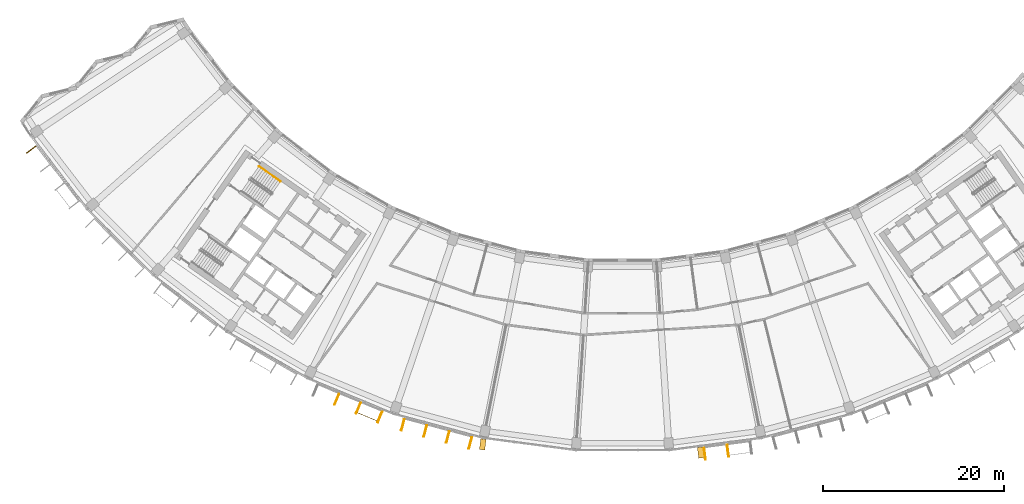
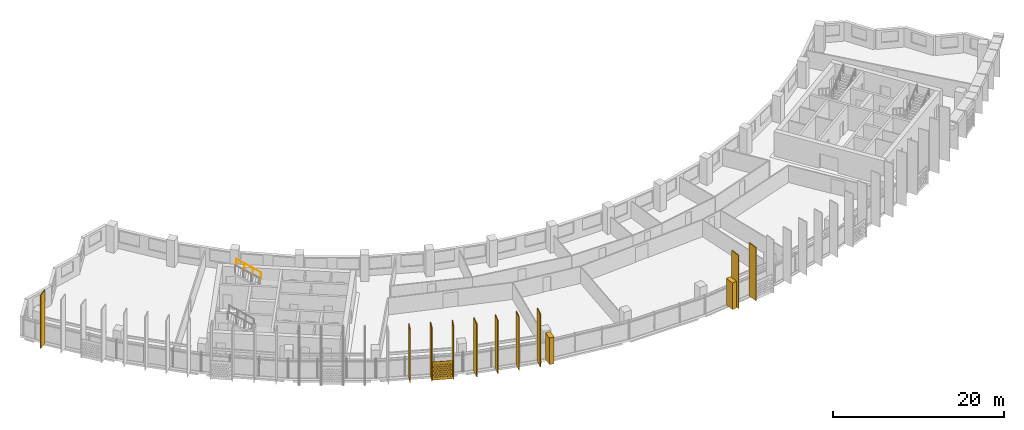
# One storey, part 24 of 27: 13 shading devices, 1 railing.
"""IFC4 building model written with IfcOpenShell, lengths in metres."""

from ifc_helpers import new_model, si_unit, direction, frame, origin, origin_2d, place, context, subcontext, project, spatial, polyline, rectangle, circle, outline, extrude, material, material_profile, profile_set, type_object, element, save


model = new_model("IFC4")

# Units and contexts
model_context = context("Model", 3, precision=1e-05, world=origin(), true_north=direction((0.0, 1.0)))
body_context = subcontext(model_context, "Body", "Model", "MODEL_VIEW")
ifc_project = project(units=[si_unit("LENGTHUNIT", "METRE"), si_unit("AREAUNIT", "SQUARE_METRE"), si_unit("VOLUMEUNIT", "CUBIC_METRE"), si_unit("PLANEANGLEUNIT", "RADIAN"), si_unit("MASSUNIT", "GRAM", prefix="KILO")], contexts=[model_context])

# Site, building, storey
site_placement = place(None, origin())
site = spatial("IfcSite", under=ifc_project, at=site_placement, CompositionType="ELEMENT")
building_placement = place(site_placement, origin())
building = spatial("IfcBuilding", under=site, at=building_placement, Name="Qamariyya Broadcast Tower", CompositionType="ELEMENT")
storey_placement = place(building_placement, frame((0.0, 0.0, 211.300048828125)))
storey = spatial("IfcBuildingStorey", under=building, at=storey_placement, Name="L50", CompositionType="ELEMENT", Elevation=211.300048828125)

# Shading devices
ifc_material_1 = material(Name="Steel S355 powder coated deep red", Category="steel")
shading_device_type_1 = type_object("IfcShadingDeviceType", Name="Deep red frame, powder coated steel box section", PredefinedType="USERDEFINED", material=ifc_material_1)
shading_device_1_placement = place(storey_placement, origin())
element("IfcShadingDevice", 1, at=shading_device_1_placement, inside=storey, type_object=shading_device_type_1, Name="e-frm-B4-F2-posta-L50", ObjectType="FRAME", PredefinedType="USERDEFINED", context=body_context, shape_type="SweptSolid", body=[
    extrude(outline(polyline([(-15.641357421875, -77.099609375), (-15.7978515625, -78.289306640625), (-15.203125, -78.36767578125), (-15.04638671875, -77.177978515625), (-15.641357421875, -77.099609375)])), origin(), (0.0, 0.0, 1.0), 3.800048828125),
])
shading_device_2_placement = place(storey_placement, origin())
element("IfcShadingDevice", 2, at=shading_device_2_placement, inside=storey, type_object=shading_device_type_1, Name="e-frm-B4-F2-postb-L50", ObjectType="FRAME", PredefinedType="USERDEFINED", context=body_context, shape_type="SweptSolid", body=[
    extrude(outline(polyline([(8.24658203125, -78.0732421875), (8.403076171875, -79.262939453125), (8.998046875, -79.1845703125), (8.84130859375, -77.994873046875), (8.24658203125, -78.0732421875)])), origin(), (0.0, 0.0, 1.0), 3.800048828125),
])
ifc_material_2 = material(Name="Perforated glazed terracotta", Category="masonry")
ifc_material_profile_1 = material_profile(ifc_material_2, outline(polyline([(-1.199951171875, -1.300048828125), (1.199951171875, -1.300048828125), (1.199951171875, 1.300048828125), (-1.199951171875, 1.300048828125), (-1.199951171875, -1.300048828125)]), holes=[polyline([(-0.81494140625, -0.86669921875), (-0.89990234375, -0.78173828125), (-0.985107421875, -0.86669921875), (-0.89990234375, -0.95166015625), (-0.81494140625, -0.86669921875)]), polyline([(-0.514892578125, -0.86669921875), (-0.60009765625, -0.78173828125), (-0.68505859375, -0.86669921875), (-0.60009765625, -0.95166015625), (-0.514892578125, -0.86669921875)]), polyline([(-0.215087890625, -0.86669921875), (-0.300048828125, -0.78173828125), (-0.385009765625, -0.86669921875), (-0.300048828125, -0.95166015625), (-0.215087890625, -0.86669921875)]), polyline([(0.0849609375, -0.86669921875), (0.0, -0.78173828125), (-0.0849609375, -0.86669921875), (0.0, -0.95166015625), (0.0849609375, -0.86669921875)]), polyline([(0.385009765625, -0.86669921875), (0.300048828125, -0.78173828125), (0.215087890625, -0.86669921875), (0.300048828125, -0.95166015625), (0.385009765625, -0.86669921875)]), polyline([(0.68505859375, -0.86669921875), (0.60009765625, -0.78173828125), (0.514892578125, -0.86669921875), (0.60009765625, -0.95166015625), (0.68505859375, -0.86669921875)]), polyline([(0.985107421875, -0.86669921875), (0.89990234375, -0.78173828125), (0.81494140625, -0.86669921875), (0.89990234375, -0.95166015625), (0.985107421875, -0.86669921875)]), polyline([(-0.965087890625, -0.577880859375), (-1.050048828125, -0.49267578125), (-1.135009765625, -0.577880859375), (-1.050048828125, -0.662841796875), (-0.965087890625, -0.577880859375)]), polyline([(-0.6650390625, -0.577880859375), (-0.75, -0.49267578125), (-0.8349609375, -0.577880859375), (-0.75, -0.662841796875), (-0.6650390625, -0.577880859375)]), polyline([(-0.364990234375, -0.577880859375), (-0.449951171875, -0.49267578125), (-0.534912109375, -0.577880859375), (-0.449951171875, -0.662841796875), (-0.364990234375, -0.577880859375)]), polyline([(-0.06494140625, -0.577880859375), (-0.14990234375, -0.49267578125), (-0.235107421875, -0.577880859375), (-0.14990234375, -0.662841796875), (-0.06494140625, -0.577880859375)]), polyline([(0.235107421875, -0.577880859375), (0.14990234375, -0.49267578125), (0.06494140625, -0.577880859375), (0.14990234375, -0.662841796875), (0.235107421875, -0.577880859375)]), polyline([(0.534912109375, -0.577880859375), (0.449951171875, -0.49267578125), (0.364990234375, -0.577880859375), (0.449951171875, -0.662841796875), (0.534912109375, -0.577880859375)]), polyline([(0.8349609375, -0.577880859375), (0.75, -0.49267578125), (0.6650390625, -0.577880859375), (0.75, -0.662841796875), (0.8349609375, -0.577880859375)]), polyline([(1.135009765625, -0.577880859375), (1.050048828125, -0.49267578125), (0.965087890625, -0.577880859375), (1.050048828125, -0.662841796875), (1.135009765625, -0.577880859375)]), polyline([(-0.81494140625, -0.288818359375), (-0.89990234375, -0.203857421875), (-0.985107421875, -0.288818359375), (-0.89990234375, -0.373779296875), (-0.81494140625, -0.288818359375)]), polyline([(-0.514892578125, -0.288818359375), (-0.60009765625, -0.203857421875), (-0.68505859375, -0.288818359375), (-0.60009765625, -0.373779296875), (-0.514892578125, -0.288818359375)]), polyline([(-0.215087890625, -0.288818359375), (-0.300048828125, -0.203857421875), (-0.385009765625, -0.288818359375), (-0.300048828125, -0.373779296875), (-0.215087890625, -0.288818359375)]), polyline([(0.0849609375, -0.288818359375), (0.0, -0.203857421875), (-0.0849609375, -0.288818359375), (0.0, -0.373779296875), (0.0849609375, -0.288818359375)]), polyline([(0.385009765625, -0.288818359375), (0.300048828125, -0.203857421875), (0.215087890625, -0.288818359375), (0.300048828125, -0.373779296875), (0.385009765625, -0.288818359375)]), polyline([(0.68505859375, -0.288818359375), (0.60009765625, -0.203857421875), (0.514892578125, -0.288818359375), (0.60009765625, -0.373779296875), (0.68505859375, -0.288818359375)]), polyline([(0.985107421875, -0.288818359375), (0.89990234375, -0.203857421875), (0.81494140625, -0.288818359375), (0.89990234375, -0.373779296875), (0.985107421875, -0.288818359375)]), polyline([(-0.965087890625, 0.0), (-1.050048828125, 0.0849609375), (-1.135009765625, 0.0), (-1.050048828125, -0.0849609375), (-0.965087890625, 0.0)]), polyline([(-0.6650390625, 0.0), (-0.75, 0.0849609375), (-0.8349609375, 0.0), (-0.75, -0.0849609375), (-0.6650390625, 0.0)]), polyline([(-0.364990234375, 0.0), (-0.449951171875, 0.0849609375), (-0.534912109375, 0.0), (-0.449951171875, -0.0849609375), (-0.364990234375, 0.0)]), polyline([(-0.06494140625, 0.0), (-0.14990234375, 0.0849609375), (-0.235107421875, 0.0), (-0.14990234375, -0.0849609375), (-0.06494140625, 0.0)]), polyline([(0.235107421875, 0.0), (0.14990234375, 0.0849609375), (0.06494140625, 0.0), (0.14990234375, -0.0849609375), (0.235107421875, 0.0)]), polyline([(0.534912109375, 0.0), (0.449951171875, 0.0849609375), (0.364990234375, 0.0), (0.449951171875, -0.0849609375), (0.534912109375, 0.0)]), polyline([(0.8349609375, 0.0), (0.75, 0.0849609375), (0.6650390625, 0.0), (0.75, -0.0849609375), (0.8349609375, 0.0)]), polyline([(1.135009765625, 0.0), (1.050048828125, 0.0849609375), (0.965087890625, 0.0), (1.050048828125, -0.0849609375), (1.135009765625, 0.0)]), polyline([(-0.81494140625, 0.288818359375), (-0.89990234375, 0.373779296875), (-0.985107421875, 0.288818359375), (-0.89990234375, 0.203857421875), (-0.81494140625, 0.288818359375)]), polyline([(-0.514892578125, 0.288818359375), (-0.60009765625, 0.373779296875), (-0.68505859375, 0.288818359375), (-0.60009765625, 0.203857421875), (-0.514892578125, 0.288818359375)]), polyline([(-0.215087890625, 0.288818359375), (-0.300048828125, 0.373779296875), (-0.385009765625, 0.288818359375), (-0.300048828125, 0.203857421875), (-0.215087890625, 0.288818359375)]), polyline([(0.0849609375, 0.288818359375), (0.0, 0.373779296875), (-0.0849609375, 0.288818359375), (0.0, 0.203857421875), (0.0849609375, 0.288818359375)]), polyline([(0.385009765625, 0.288818359375), (0.300048828125, 0.373779296875), (0.215087890625, 0.288818359375), (0.300048828125, 0.203857421875), (0.385009765625, 0.288818359375)]), polyline([(0.68505859375, 0.288818359375), (0.60009765625, 0.373779296875), (0.514892578125, 0.288818359375), (0.60009765625, 0.203857421875), (0.68505859375, 0.288818359375)]), polyline([(0.985107421875, 0.288818359375), (0.89990234375, 0.373779296875), (0.81494140625, 0.288818359375), (0.89990234375, 0.203857421875), (0.985107421875, 0.288818359375)]), polyline([(-0.965087890625, 0.577880859375), (-1.050048828125, 0.662841796875), (-1.135009765625, 0.577880859375), (-1.050048828125, 0.49267578125), (-0.965087890625, 0.577880859375)]), polyline([(-0.6650390625, 0.577880859375), (-0.75, 0.662841796875), (-0.8349609375, 0.577880859375), (-0.75, 0.49267578125), (-0.6650390625, 0.577880859375)]), polyline([(-0.364990234375, 0.577880859375), (-0.449951171875, 0.662841796875), (-0.534912109375, 0.577880859375), (-0.449951171875, 0.49267578125), (-0.364990234375, 0.577880859375)]), polyline([(-0.06494140625, 0.577880859375), (-0.14990234375, 0.662841796875), (-0.235107421875, 0.577880859375), (-0.14990234375, 0.49267578125), (-0.06494140625, 0.577880859375)]), polyline([(0.235107421875, 0.577880859375), (0.14990234375, 0.662841796875), (0.06494140625, 0.577880859375), (0.14990234375, 0.49267578125), (0.235107421875, 0.577880859375)]), polyline([(0.534912109375, 0.577880859375), (0.449951171875, 0.662841796875), (0.364990234375, 0.577880859375), (0.449951171875, 0.49267578125), (0.534912109375, 0.577880859375)]), polyline([(0.8349609375, 0.577880859375), (0.75, 0.662841796875), (0.6650390625, 0.577880859375), (0.75, 0.49267578125), (0.8349609375, 0.577880859375)]), polyline([(1.135009765625, 0.577880859375), (1.050048828125, 0.662841796875), (0.965087890625, 0.577880859375), (1.050048828125, 0.49267578125), (1.135009765625, 0.577880859375)]), polyline([(-0.81494140625, 0.86669921875), (-0.89990234375, 0.95166015625), (-0.985107421875, 0.86669921875), (-0.89990234375, 0.78173828125), (-0.81494140625, 0.86669921875)]), polyline([(-0.514892578125, 0.86669921875), (-0.60009765625, 0.95166015625), (-0.68505859375, 0.86669921875), (-0.60009765625, 0.78173828125), (-0.514892578125, 0.86669921875)]), polyline([(-0.215087890625, 0.86669921875), (-0.300048828125, 0.95166015625), (-0.385009765625, 0.86669921875), (-0.300048828125, 0.78173828125), (-0.215087890625, 0.86669921875)]), polyline([(0.0849609375, 0.86669921875), (0.0, 0.95166015625), (-0.0849609375, 0.86669921875), (0.0, 0.78173828125), (0.0849609375, 0.86669921875)]), polyline([(0.385009765625, 0.86669921875), (0.300048828125, 0.95166015625), (0.215087890625, 0.86669921875), (0.300048828125, 0.78173828125), (0.385009765625, 0.86669921875)]), polyline([(0.68505859375, 0.86669921875), (0.60009765625, 0.95166015625), (0.514892578125, 0.86669921875), (0.60009765625, 0.78173828125), (0.68505859375, 0.86669921875)]), polyline([(0.985107421875, 0.86669921875), (0.89990234375, 0.95166015625), (0.81494140625, 0.86669921875), (0.89990234375, 0.78173828125), (0.985107421875, 0.86669921875)])]))
ifc_profile_set_1 = profile_set([ifc_material_profile_1], Name="Perforated glazed terracotta")
shading_device_type_2 = type_object("IfcShadingDeviceType", Name="Perforated terracotta screen 2400 x 2600", PredefinedType="USERDEFINED", material=ifc_profile_set_1)
shading_device_3_placement = place(storey_placement, frame((-28.1767578125, -74.6513671875, 1.349853515625), z_axis=(-0.382591441855, -0.923917630863, 0.0), x_axis=(0.923917630863, -0.382591441855, 0.0)))
element("IfcShadingDevice", 3, at=shading_device_3_placement, inside=storey, type_object=shading_device_type_2, Name="e-scr-L50-05-2", ObjectType="SCREEN", PredefinedType="USERDEFINED", context=body_context, shape_type="SweptSolid", body=[
    extrude(outline(polyline([(-1.199951171875, -1.300048828125), (1.199951171875, -1.300048828125), (1.199951171875, 1.300048828125), (-1.199951171875, 1.300048828125), (-1.199951171875, -1.300048828125)]), holes=[polyline([(-0.81494140625, -0.86669921875), (-0.89990234375, -0.78173828125), (-0.985107421875, -0.86669921875), (-0.89990234375, -0.95166015625), (-0.81494140625, -0.86669921875)]), polyline([(-0.514892578125, -0.86669921875), (-0.60009765625, -0.78173828125), (-0.68505859375, -0.86669921875), (-0.60009765625, -0.95166015625), (-0.514892578125, -0.86669921875)]), polyline([(-0.215087890625, -0.86669921875), (-0.300048828125, -0.78173828125), (-0.385009765625, -0.86669921875), (-0.300048828125, -0.95166015625), (-0.215087890625, -0.86669921875)]), polyline([(0.0849609375, -0.86669921875), (0.0, -0.78173828125), (-0.0849609375, -0.86669921875), (0.0, -0.95166015625), (0.0849609375, -0.86669921875)]), polyline([(0.385009765625, -0.86669921875), (0.300048828125, -0.78173828125), (0.215087890625, -0.86669921875), (0.300048828125, -0.95166015625), (0.385009765625, -0.86669921875)]), polyline([(0.68505859375, -0.86669921875), (0.60009765625, -0.78173828125), (0.514892578125, -0.86669921875), (0.60009765625, -0.95166015625), (0.68505859375, -0.86669921875)]), polyline([(0.985107421875, -0.86669921875), (0.89990234375, -0.78173828125), (0.81494140625, -0.86669921875), (0.89990234375, -0.95166015625), (0.985107421875, -0.86669921875)]), polyline([(-0.965087890625, -0.577880859375), (-1.050048828125, -0.49267578125), (-1.135009765625, -0.577880859375), (-1.050048828125, -0.662841796875), (-0.965087890625, -0.577880859375)]), polyline([(-0.6650390625, -0.577880859375), (-0.75, -0.49267578125), (-0.8349609375, -0.577880859375), (-0.75, -0.662841796875), (-0.6650390625, -0.577880859375)]), polyline([(-0.364990234375, -0.577880859375), (-0.449951171875, -0.49267578125), (-0.534912109375, -0.577880859375), (-0.449951171875, -0.662841796875), (-0.364990234375, -0.577880859375)]), polyline([(-0.06494140625, -0.577880859375), (-0.14990234375, -0.49267578125), (-0.235107421875, -0.577880859375), (-0.14990234375, -0.662841796875), (-0.06494140625, -0.577880859375)]), polyline([(0.235107421875, -0.577880859375), (0.14990234375, -0.49267578125), (0.06494140625, -0.577880859375), (0.14990234375, -0.662841796875), (0.235107421875, -0.577880859375)]), polyline([(0.534912109375, -0.577880859375), (0.449951171875, -0.49267578125), (0.364990234375, -0.577880859375), (0.449951171875, -0.662841796875), (0.534912109375, -0.577880859375)]), polyline([(0.8349609375, -0.577880859375), (0.75, -0.49267578125), (0.6650390625, -0.577880859375), (0.75, -0.662841796875), (0.8349609375, -0.577880859375)]), polyline([(1.135009765625, -0.577880859375), (1.050048828125, -0.49267578125), (0.965087890625, -0.577880859375), (1.050048828125, -0.662841796875), (1.135009765625, -0.577880859375)]), polyline([(-0.81494140625, -0.288818359375), (-0.89990234375, -0.203857421875), (-0.985107421875, -0.288818359375), (-0.89990234375, -0.373779296875), (-0.81494140625, -0.288818359375)]), polyline([(-0.514892578125, -0.288818359375), (-0.60009765625, -0.203857421875), (-0.68505859375, -0.288818359375), (-0.60009765625, -0.373779296875), (-0.514892578125, -0.288818359375)]), polyline([(-0.215087890625, -0.288818359375), (-0.300048828125, -0.203857421875), (-0.385009765625, -0.288818359375), (-0.300048828125, -0.373779296875), (-0.215087890625, -0.288818359375)]), polyline([(0.0849609375, -0.288818359375), (0.0, -0.203857421875), (-0.0849609375, -0.288818359375), (0.0, -0.373779296875), (0.0849609375, -0.288818359375)]), polyline([(0.385009765625, -0.288818359375), (0.300048828125, -0.203857421875), (0.215087890625, -0.288818359375), (0.300048828125, -0.373779296875), (0.385009765625, -0.288818359375)]), polyline([(0.68505859375, -0.288818359375), (0.60009765625, -0.203857421875), (0.514892578125, -0.288818359375), (0.60009765625, -0.373779296875), (0.68505859375, -0.288818359375)]), polyline([(0.985107421875, -0.288818359375), (0.89990234375, -0.203857421875), (0.81494140625, -0.288818359375), (0.89990234375, -0.373779296875), (0.985107421875, -0.288818359375)]), polyline([(-0.965087890625, 0.0), (-1.050048828125, 0.0849609375), (-1.135009765625, 0.0), (-1.050048828125, -0.0849609375), (-0.965087890625, 0.0)]), polyline([(-0.6650390625, 0.0), (-0.75, 0.0849609375), (-0.8349609375, 0.0), (-0.75, -0.0849609375), (-0.6650390625, 0.0)]), polyline([(-0.364990234375, 0.0), (-0.449951171875, 0.0849609375), (-0.534912109375, 0.0), (-0.449951171875, -0.0849609375), (-0.364990234375, 0.0)]), polyline([(-0.06494140625, 0.0), (-0.14990234375, 0.0849609375), (-0.235107421875, 0.0), (-0.14990234375, -0.0849609375), (-0.06494140625, 0.0)]), polyline([(0.235107421875, 0.0), (0.14990234375, 0.0849609375), (0.06494140625, 0.0), (0.14990234375, -0.0849609375), (0.235107421875, 0.0)]), polyline([(0.534912109375, 0.0), (0.449951171875, 0.0849609375), (0.364990234375, 0.0), (0.449951171875, -0.0849609375), (0.534912109375, 0.0)]), polyline([(0.8349609375, 0.0), (0.75, 0.0849609375), (0.6650390625, 0.0), (0.75, -0.0849609375), (0.8349609375, 0.0)]), polyline([(1.135009765625, 0.0), (1.050048828125, 0.0849609375), (0.965087890625, 0.0), (1.050048828125, -0.0849609375), (1.135009765625, 0.0)]), polyline([(-0.81494140625, 0.288818359375), (-0.89990234375, 0.373779296875), (-0.985107421875, 0.288818359375), (-0.89990234375, 0.203857421875), (-0.81494140625, 0.288818359375)]), polyline([(-0.514892578125, 0.288818359375), (-0.60009765625, 0.373779296875), (-0.68505859375, 0.288818359375), (-0.60009765625, 0.203857421875), (-0.514892578125, 0.288818359375)]), polyline([(-0.215087890625, 0.288818359375), (-0.300048828125, 0.373779296875), (-0.385009765625, 0.288818359375), (-0.300048828125, 0.203857421875), (-0.215087890625, 0.288818359375)]), polyline([(0.0849609375, 0.288818359375), (0.0, 0.373779296875), (-0.0849609375, 0.288818359375), (0.0, 0.203857421875), (0.0849609375, 0.288818359375)]), polyline([(0.385009765625, 0.288818359375), (0.300048828125, 0.373779296875), (0.215087890625, 0.288818359375), (0.300048828125, 0.203857421875), (0.385009765625, 0.288818359375)]), polyline([(0.68505859375, 0.288818359375), (0.60009765625, 0.373779296875), (0.514892578125, 0.288818359375), (0.60009765625, 0.203857421875), (0.68505859375, 0.288818359375)]), polyline([(0.985107421875, 0.288818359375), (0.89990234375, 0.373779296875), (0.81494140625, 0.288818359375), (0.89990234375, 0.203857421875), (0.985107421875, 0.288818359375)]), polyline([(-0.965087890625, 0.577880859375), (-1.050048828125, 0.662841796875), (-1.135009765625, 0.577880859375), (-1.050048828125, 0.49267578125), (-0.965087890625, 0.577880859375)]), polyline([(-0.6650390625, 0.577880859375), (-0.75, 0.662841796875), (-0.8349609375, 0.577880859375), (-0.75, 0.49267578125), (-0.6650390625, 0.577880859375)]), polyline([(-0.364990234375, 0.577880859375), (-0.449951171875, 0.662841796875), (-0.534912109375, 0.577880859375), (-0.449951171875, 0.49267578125), (-0.364990234375, 0.577880859375)]), polyline([(-0.06494140625, 0.577880859375), (-0.14990234375, 0.662841796875), (-0.235107421875, 0.577880859375), (-0.14990234375, 0.49267578125), (-0.06494140625, 0.577880859375)]), polyline([(0.235107421875, 0.577880859375), (0.14990234375, 0.662841796875), (0.06494140625, 0.577880859375), (0.14990234375, 0.49267578125), (0.235107421875, 0.577880859375)]), polyline([(0.534912109375, 0.577880859375), (0.449951171875, 0.662841796875), (0.364990234375, 0.577880859375), (0.449951171875, 0.49267578125), (0.534912109375, 0.577880859375)]), polyline([(0.8349609375, 0.577880859375), (0.75, 0.662841796875), (0.6650390625, 0.577880859375), (0.75, 0.49267578125), (0.8349609375, 0.577880859375)]), polyline([(1.135009765625, 0.577880859375), (1.050048828125, 0.662841796875), (0.965087890625, 0.577880859375), (1.050048828125, 0.49267578125), (1.135009765625, 0.577880859375)]), polyline([(-0.81494140625, 0.86669921875), (-0.89990234375, 0.95166015625), (-0.985107421875, 0.86669921875), (-0.89990234375, 0.78173828125), (-0.81494140625, 0.86669921875)]), polyline([(-0.514892578125, 0.86669921875), (-0.60009765625, 0.95166015625), (-0.68505859375, 0.86669921875), (-0.60009765625, 0.78173828125), (-0.514892578125, 0.86669921875)]), polyline([(-0.215087890625, 0.86669921875), (-0.300048828125, 0.95166015625), (-0.385009765625, 0.86669921875), (-0.300048828125, 0.78173828125), (-0.215087890625, 0.86669921875)]), polyline([(0.0849609375, 0.86669921875), (0.0, 0.95166015625), (-0.0849609375, 0.86669921875), (0.0, 0.78173828125), (0.0849609375, 0.86669921875)]), polyline([(0.385009765625, 0.86669921875), (0.300048828125, 0.95166015625), (0.215087890625, 0.86669921875), (0.300048828125, 0.78173828125), (0.385009765625, 0.86669921875)]), polyline([(0.68505859375, 0.86669921875), (0.60009765625, 0.95166015625), (0.514892578125, 0.86669921875), (0.60009765625, 0.78173828125), (0.68505859375, 0.86669921875)]), polyline([(0.985107421875, 0.86669921875), (0.89990234375, 0.95166015625), (0.81494140625, 0.86669921875), (0.89990234375, 0.78173828125), (0.985107421875, 0.86669921875)])]), origin(), (0.0, 0.0, 1.0), 0.06005859375),
])

# Railing
ifc_material_3 = material(Name="Stainless steel", Category="steel")
railing_type = type_object("IfcRailingType", Name="Stair handrail", PredefinedType="HANDRAIL", material=ifc_material_3)
railing_placement = place(storey_placement, frame((-37.73876953125, -48.7138671875, 2.07275390625)))
element("IfcRailing", 4, at=railing_placement, inside=storey, type_object=railing_type, Name="L50 ST-W2 stair handrail 2", PredefinedType="HANDRAIL", context=body_context, shape_type="SweptSolid", body=[
    extrude(circle(Radius=0.02392578125, at=origin_2d()), frame((0.0, 0.0, 0.8759765625), z_axis=(-0.703745009021, 0.492838488332, 0.511715923826), x_axis=(-0.573631830683, -0.819113253969, 0.0)), (0.0, 0.0, 1.0), 3.37548828125),
    extrude(circle(Radius=0.02099609375, at=origin_2d()), origin(), (0.0, 0.0, 1.0), 0.851806640625),
    extrude(circle(Radius=0.02099609375, at=origin_2d()), frame((-0.791748046875, 0.554443359375, 0.57568359375)), (0.0, 0.0, 1.0), 0.851806640625),
    extrude(circle(Radius=0.02099609375, at=origin_2d()), frame((-1.583740234375, 1.109130859375, 1.151611328125)), (0.0, 0.0, 1.0), 0.851806640625),
    extrude(circle(Radius=0.02099609375, at=origin_2d()), frame((-2.37548828125, 1.66357421875, 1.727294921875)), (0.0, 0.0, 1.0), 0.851806640625),
])

# Shading devices
ifc_material_4 = material(Name="Glazed terracotta", Category="masonry")
ifc_material_profile_2 = material_profile(ifc_material_4, rectangle(XDim=1.300048828125, YDim=0.10009765625, at=origin_2d()))
ifc_profile_set_2 = profile_set([ifc_material_profile_2], Name="Glazed terracotta")
shading_device_type_3 = type_object("IfcShadingDeviceType", Name="Terracotta fin 100 x 1300", PredefinedType="USERDEFINED", material=ifc_profile_set_2)
for number, where, z_axis, x_axis, name in (
    (5, (-65.246826171875, -45.202880859375, 0.0), (0.0, 0.0, 1.0), (-0.793353340291, -0.608761429009, 0.0), "e-fin-L50-01-0"),
    (6, (-31.52783203125, -72.754638671875, 0.0), (0.0, 0.0, 1.0), (-0.382683432365, -0.923879532511, 0.0), "e-fin-L50-05-1"),
    (7, (-29.151611328125, -73.73876953125, 0.0), (0.0, 0.0, 1.0), (-0.382683432365, -0.923879532511, 0.0), "e-fin-L50-05-2"),
    (8, (-26.775390625, -74.72314453125, 0.0), (0.0, 0.0, 1.0), (-0.382683432365, -0.923879532511, 0.0), "e-fin-L50-05-3"),
    (9, (-24.24609375, -75.58154296875, 0.0), (0.0, 0.0, 1.0), (-0.258819045103, -0.965925826289, 0.0), "e-fin-L50-06-0"),
    (10, (-21.76171875, -76.247314453125, 0.0), (0.0, 0.0, 1.0), (-0.258819045103, -0.965925826289, 0.0), "e-fin-L50-06-1"),
    (11, (-19.27734375, -76.9130859375, 0.0), (0.0, 0.0, 1.0), (-0.258819045103, -0.965925826289, 0.0), "e-fin-L50-06-2"),
    (12, (-16.79296875, -77.57861328125, 0.0), (0.0, 0.0, 1.0), (-0.258819045103, -0.965925826289, 0.0), "e-fin-L50-06-3"),
    (13, (9.0732421875, -78.771240234375, 0.0), (0.0, 0.0, 1.0), (0.13052619222, -0.991444861374, 0.0), "e-fin-L50-09-1"),
    (14, (11.623291015625, -78.435546875, 0.0), (0.0, 0.0, 1.0), (0.13052619222, -0.991444861374, 0.0), "e-fin-L50-09-2"),
):
    element("IfcShadingDevice", number, at=place(storey_placement, frame(where, z_axis=z_axis, x_axis=x_axis)), inside=storey, type_object=shading_device_type_3, Name=name, ObjectType="FIN", PredefinedType="USERDEFINED", context=body_context, shape_type="SweptSolid", body=[
        extrude(rectangle(XDim=1.300048828125, YDim=0.10009765625, at=origin_2d()), origin(), (0.0, 0.0, 1.0), 7.599853515625),
    ])

save(model, "model.ifc")
